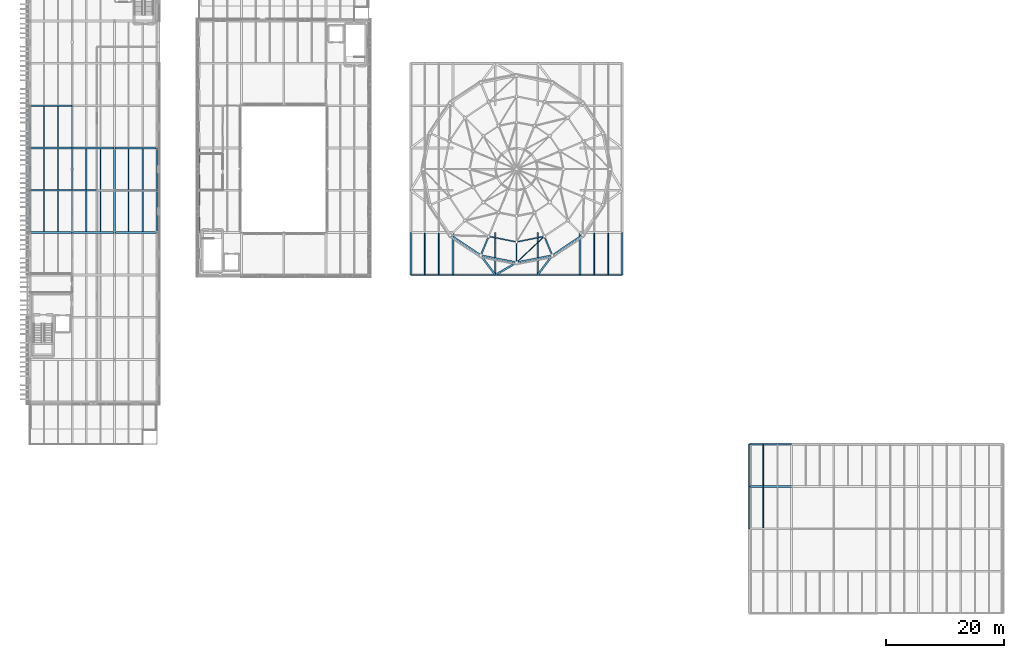
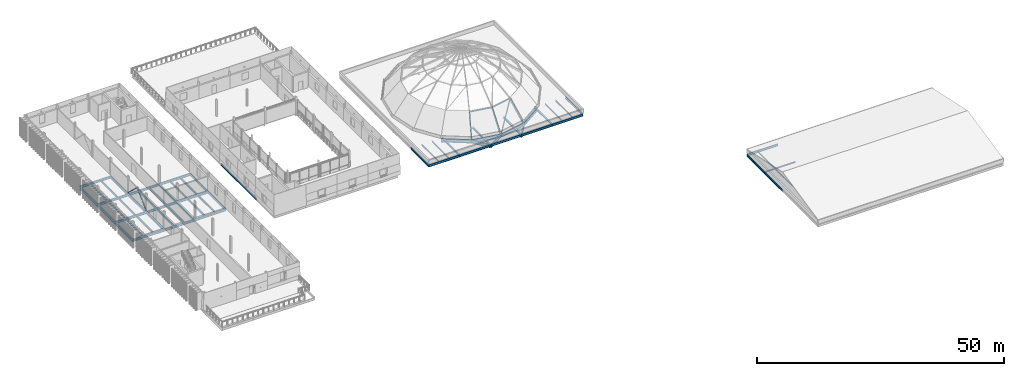
# One storey, part 8 of 66: 64 beams, 8 members.
"""IFC4 building model written with IfcOpenShell, lengths in metres."""

from ifc_helpers import new_model, si_unit, direction, frame, origin, origin_2d, place, context, subcontext, project, spatial, hollow_rectangle, hollow_circle, i_section, extrude, material, material_profile, profile_set, type_object, element, save


model = new_model("IFC4")

# Units and contexts
model_context = context("Model", 3, precision=1e-05, world=origin(), true_north=direction((0.0, 1.0)))
body_context = subcontext(model_context, "Body", "Model", "MODEL_VIEW")
ifc_project = project(units=[si_unit("LENGTHUNIT", "METRE"), si_unit("AREAUNIT", "SQUARE_METRE"), si_unit("VOLUMEUNIT", "CUBIC_METRE"), si_unit("PLANEANGLEUNIT", "RADIAN"), si_unit("MASSUNIT", "GRAM", prefix="KILO")], contexts=[model_context])

# Site, building, storey
site_placement = place(None, origin())
site = spatial("IfcSite", under=ifc_project, at=site_placement, CompositionType="ELEMENT")
building_placement = place(site_placement, origin())
building = spatial("IfcBuilding", under=site, at=building_placement, Name="Narikvali Park Central Library", CompositionType="ELEMENT")
storey_placement = place(building_placement, frame((0.0, 0.0, 18.60009765625)))
storey = spatial("IfcBuildingStorey", under=building, at=storey_placement, Name="L04", CompositionType="ELEMENT", Elevation=18.60009765625)

# Beams
ifc_material = material(Name="Steel S355", Category="steel")
ifc_material_profile_1 = material_profile(ifc_material, i_section(OverallWidth=0.300048828125, OverallDepth=0.800048828125, WebThickness=0.017578125, FlangeThickness=0.032958984375, FilletRadius=0.030029296875, at=origin_2d()), Name="HEB 800")
ifc_profile_set_1 = profile_set([ifc_material_profile_1], Name="Steel S355")
beam_type_1 = type_object("IfcBeamType", Name="Auditorium Long-Span Girder HEB800", PredefinedType="BEAM", material=ifc_profile_set_1)
beam_1_placement = place(storey_placement, frame((71.556884765625, 64.35693359375, -0.650146484375), z_axis=(0.831486816922, -0.555544483624, 0.0), x_axis=(0.555544483624, 0.831486816922, 0.0)))
element("IfcBeam", 1, at=beam_1_placement, inside=storey, type_object=beam_type_1, Name="Dome Tension Ring Beam Segment 11", PredefinedType="BEAM", context=body_context, shape_type="SweptSolid", body=[
    extrude(i_section(OverallWidth=0.300048828125, OverallDepth=0.800048828125, WebThickness=0.017578125, FlangeThickness=0.032958984375, FilletRadius=0.030029296875, at=origin_2d()), origin(), (0.0, 0.0, 1.0), 6.203857421875),
])
beam_2_placement = place(storey_placement, frame((79.199951171875, 57.60009765625, -0.650146484375), z_axis=(-0.60029252654, 0.799780521506, 0.0), x_axis=(-0.799780521506, -0.60029252654, 0.0)))
element("IfcBeam", 2, at=beam_2_placement, inside=storey, type_object=beam_type_1, Name="Dome Radial Ring Support Girder 12", PredefinedType="BEAM", context=body_context, shape_type="SweptSolid", body=[
    extrude(i_section(OverallWidth=0.300048828125, OverallDepth=0.800048828125, WebThickness=0.017578125, FlangeThickness=0.032958984375, FilletRadius=0.030029296875, at=origin_2d()), origin(), (0.0, 0.0, 1.0), 4.138916015625),
])
beam_3_placement = place(storey_placement, frame((76.71533203125, 60.910400390625, -0.650146484375), z_axis=(0.980781462113, -0.195109516878, 0.0), x_axis=(0.195109516878, 0.980781462113, 0.0)))
element("IfcBeam", 3, at=beam_3_placement, inside=storey, type_object=beam_type_1, Name="Dome Tension Ring Beam Segment 12", PredefinedType="BEAM", context=body_context, shape_type="SweptSolid", body=[
    extrude(i_section(OverallWidth=0.300048828125, OverallDepth=0.800048828125, WebThickness=0.017578125, FlangeThickness=0.032958984375, FilletRadius=0.030029296875, at=origin_2d()), origin(), (0.0, 0.0, 1.0), 6.203857421875),
])
beam_4_placement = place(storey_placement, frame((79.199951171875, 57.60009765625, -0.650146484375), z_axis=(0.863800146258, 0.503834603144, 0.0), x_axis=(-0.503834603144, 0.863800146258, 0.0)))
element("IfcBeam", 4, at=beam_4_placement, inside=storey, type_object=beam_type_1, Name="Dome Radial Ring Support Girder 13", PredefinedType="BEAM", context=body_context, shape_type="SweptSolid", body=[
    extrude(i_section(OverallWidth=0.300048828125, OverallDepth=0.800048828125, WebThickness=0.017578125, FlangeThickness=0.032958984375, FilletRadius=0.030029296875, at=origin_2d()), origin(), (0.0, 0.0, 1.0), 4.167724609375),
])
beam_5_placement = place(storey_placement, frame((82.800048828125, 59.699951171875, -0.650146484375), z_axis=(0.980781462113, 0.195109516878, 0.0), x_axis=(-0.195109516878, 0.980781462113, 0.0)))
element("IfcBeam", 5, at=beam_5_placement, inside=storey, type_object=beam_type_1, Name="Dome Tension Ring Beam Segment 13", PredefinedType="BEAM", context=body_context, shape_type="SweptSolid", body=[
    extrude(i_section(OverallWidth=0.300048828125, OverallDepth=0.800048828125, WebThickness=0.017578125, FlangeThickness=0.032958984375, FilletRadius=0.030029296875, at=origin_2d()), origin(), (0.0, 0.0, 1.0), 6.203857421875),
])
beam_6_placement = place(storey_placement, frame((86.39990234375, 57.60009765625, -0.650146484375), z_axis=(0.600330254363, 0.799752202683, 0.0), x_axis=(-0.799752202683, 0.600330254363, 0.0)))
element("IfcBeam", 6, at=beam_6_placement, inside=storey, type_object=beam_type_1, Name="Dome Radial Ring Support Girder 14", PredefinedType="BEAM", context=body_context, shape_type="SweptSolid", body=[
    extrude(i_section(OverallWidth=0.300048828125, OverallDepth=0.800048828125, WebThickness=0.017578125, FlangeThickness=0.032958984375, FilletRadius=0.030029296875, at=origin_2d()), origin(), (0.0, 0.0, 1.0), 4.13916015625),
])
beam_7_placement = place(storey_placement, frame((88.884765625, 60.910400390625, -0.650146484375), z_axis=(0.831474670862, 0.555562662276, 0.0), x_axis=(-0.555562662276, 0.831474670862, 0.0)))
element("IfcBeam", 7, at=beam_7_placement, inside=storey, type_object=beam_type_1, Name="Dome Tension Ring Beam Segment 14", PredefinedType="BEAM", context=body_context, shape_type="SweptSolid", body=[
    extrude(i_section(OverallWidth=0.300048828125, OverallDepth=0.800048828125, WebThickness=0.017578125, FlangeThickness=0.032958984375, FilletRadius=0.030029296875, at=origin_2d()), origin(), (0.0, 0.0, 1.0), 6.20361328125),
])
ifc_material_profile_2 = material_profile(ifc_material, i_section(OverallWidth=0.135009765625, OverallDepth=0.27001953125, WebThickness=0.006591796875, FlangeThickness=0.01025390625, FilletRadius=0.014892578125, at=origin_2d()), Name="IPE 270")
ifc_profile_set_2 = profile_set([ifc_material_profile_2], Name="Steel S355")
beam_type_2 = type_object("IfcBeamType", Name="Composite Floor Joist IPE270", PredefinedType="JOIST", material=ifc_profile_set_2)
beam_8_placement = place(storey_placement, frame((124.800048828125, 14.550048828125, -0.375), z_axis=(0.0, 1.0, 0.0), x_axis=(-1.0, 0.0, 0.0)))
element("IfcBeam", 8, at=beam_8_placement, inside=storey, type_object=beam_type_2, Name="V6 L04 Composite Joist 1", PredefinedType="JOIST", context=body_context, shape_type="SweptSolid", body=[
    extrude(i_section(OverallWidth=0.135009765625, OverallDepth=0.27001953125, WebThickness=0.006591796875, FlangeThickness=0.01025390625, FilletRadius=0.014892578125, at=origin_2d()), origin(), (0.0, 0.0, 1.0), 6.919921875),
])
beam_9_placement = place(storey_placement, frame((124.800048828125, 21.72998046875, -0.375), z_axis=(0.0, 1.0, 0.0), x_axis=(-1.0, 0.0, 0.0)))
element("IfcBeam", 9, at=beam_9_placement, inside=storey, type_object=beam_type_2, Name="V6 L04 Composite Joist 1", PredefinedType="JOIST", context=body_context, shape_type="SweptSolid", body=[
    extrude(i_section(OverallWidth=0.135009765625, OverallDepth=0.27001953125, WebThickness=0.006591796875, FlangeThickness=0.01025390625, FilletRadius=0.014892578125, at=origin_2d()), origin(), (0.0, 0.0, 1.0), 6.965087890625),
])
ifc_material_profile_3 = material_profile(ifc_material, i_section(OverallWidth=0.14990234375, OverallDepth=0.300048828125, WebThickness=0.007080078125, FlangeThickness=0.0107421875, FilletRadius=0.014892578125, at=origin_2d()), Name="IPE 300")
ifc_profile_set_3 = profile_set([ifc_material_profile_3], Name="Steel S355")
beam_type_3 = type_object("IfcBeamType", Name="Composite Floor Joist IPE300", PredefinedType="JOIST", material=ifc_profile_set_3)
for number, where, z_axis, x_axis, name in (
    (10, (67.199951171875, 57.705078125, -0.39013671875), (0.0, 1.0, 0.0), (-1.0, 0.0, 0.0), "V1 L04 Composite Joist 1"),
    (11, (69.60009765625, 57.705078125, -0.39013671875), (0.0, 1.0, 0.0), (-1.0, 0.0, 0.0), "V1 L04 Composite Joist 2"),
    (12, (96.0, 57.705078125, -0.39013671875), (0.0, 1.0, 0.0), (-1.0, 0.0, 0.0), "V1 L04 Composite Joist 1"),
    (13, (98.39990234375, 57.705078125, -0.39013671875), (0.0, 1.0, 0.0), (-1.0, 0.0, 0.0), "V1 L04 Composite Joist 2"),
):
    element("IfcBeam", number, at=place(storey_placement, frame(where, z_axis=z_axis, x_axis=x_axis)), inside=storey, type_object=beam_type_3, Name=name, PredefinedType="JOIST", context=body_context, shape_type="SweptSolid", body=[
        extrude(i_section(OverallWidth=0.14990234375, OverallDepth=0.300048828125, WebThickness=0.007080078125, FlangeThickness=0.0107421875, FilletRadius=0.014892578125, at=origin_2d()), origin(), (0.0, 0.0, 1.0), 6.94482421875),
    ])

# Members
ifc_material_profile_4 = material_profile(ifc_material, hollow_rectangle(XDim=0.25, YDim=0.35009765625, WallThickness=0.012451171875, at=origin_2d()), Name="RHS 350x250x12.5")
ifc_profile_set_4 = profile_set([ifc_material_profile_4], Name="Steel S355")
member_type_1 = type_object("IfcMemberType", Name="Dome Base Arch Rib RHS350x250", PredefinedType="STRUT", material=ifc_profile_set_4)
for number, where, z_axis, x_axis, name in (
    (14, (76.71533203125, 60.910400390625, -0.650146484375), (0.225407184021, 0.544114478282, 0.808165228103), (-0.92386297064, 0.382723413813, 0.0), "Main Reading Room Dome Meridional Rib T1-12"),
    (15, (88.884765625, 60.910400390625, -0.650146484375), (-0.225407184021, 0.544114478282, 0.808165228103), (-0.92386297064, -0.382723413813, 0.0), "Main Reading Room Dome Meridional Rib T1-14"),
):
    element("IfcMember", number, at=place(storey_placement, frame(where, z_axis=z_axis, x_axis=x_axis)), inside=storey, type_object=member_type_1, Name=name, PredefinedType="STRUT", context=body_context, shape_type="SweptSolid", body=[
        extrude(hollow_rectangle(XDim=0.25, YDim=0.35009765625, WallThickness=0.012451171875, at=origin_2d()), origin(), (0.0, 0.0, 1.0), 5.9765625),
    ])
ifc_material_profile_5 = material_profile(ifc_material, hollow_rectangle(XDim=0.199951171875, YDim=0.39990234375, WallThickness=0.01416015625, at=origin_2d()), Name="RHS 400x200x14.2")
ifc_profile_set_5 = profile_set([ifc_material_profile_5], Name="Steel S355")
member_type_2 = type_object("IfcMemberType", Name="Dome Cardinal Base Rib RHS400x200", PredefinedType="STRUT", material=ifc_profile_set_5)
member_1_placement = place(storey_placement, frame((82.800048828125, 59.699951171875, -0.650146484375), z_axis=(0.0, 0.588963227106, 0.808159833892), x_axis=(-1.0, 0.0, 0.0)))
element("IfcMember", 16, at=member_1_placement, inside=storey, type_object=member_type_2, Name="Main Reading Room Dome Meridional Rib T1-13", PredefinedType="STRUT", context=body_context, shape_type="SweptSolid", body=[
    extrude(hollow_rectangle(XDim=0.199951171875, YDim=0.39990234375, WallThickness=0.01416015625, at=origin_2d()), origin(), (0.0, 0.0, 1.0), 5.9765625),
])
ifc_material_profile_6 = material_profile(ifc_material, hollow_rectangle(XDim=0.199951171875, YDim=0.199951171875, WallThickness=0.012451171875, at=origin_2d()), Name="SHS 200x200x12.5")
ifc_profile_set_6 = profile_set([ifc_material_profile_6], Name="Steel S355")
member_type_3 = type_object("IfcMemberType", Name="Dome Hoop Ring Purlin SHS200x200", PredefinedType="PURLIN", material=ifc_profile_set_6)
for number, where, z_axis, x_axis, name in (
    (17, (78.0625, 64.162353515625, 4.179931640625), (0.980784259997, -0.195095451873, 0.0), (0.195095451873, 0.980784259997, 0.0), "Main Reading Room Dome Hoop Ring T1-12"),
    (18, (82.800048828125, 63.219970703125, 4.179931640625), (0.980784259997, 0.195095451873, 0.0), (-0.195095451873, 0.980784259997, 0.0), "Main Reading Room Dome Hoop Ring T1-13"),
):
    element("IfcMember", number, at=place(storey_placement, frame(where, z_axis=z_axis, x_axis=x_axis)), inside=storey, type_object=member_type_3, Name=name, PredefinedType="PURLIN", context=body_context, shape_type="SweptSolid", body=[
        extrude(hollow_rectangle(XDim=0.199951171875, YDim=0.199951171875, WallThickness=0.012451171875, at=origin_2d()), origin(), (0.0, 0.0, 1.0), 4.830322265625),
    ])
ifc_material_profile_7 = material_profile(ifc_material, hollow_circle(Radius=0.084228515625, WallThickness=0.010009765625, at=origin_2d()), Name="CHS 168.3x10")
ifc_profile_set_7 = profile_set([ifc_material_profile_7], Name="Steel S355")
member_type_4 = type_object("IfcMemberType", Name="Dome Lower Wind Brace CHS168x10", PredefinedType="BRACE", material=ifc_profile_set_7)
member_2_placement = place(storey_placement, frame((82.800048828125, 59.699951171875, -0.650146484375), z_axis=(0.584539404347, 0.550590632964, 0.59595607192), x_axis=(-0.685652493259, 0.727929020226, 0.0)))
element("IfcMember", 19, at=member_2_placement, inside=storey, type_object=member_type_4, Name="Dome Wind Diagonal Brace T1-13", PredefinedType="BRACE", context=body_context, shape_type="SweptSolid", body=[
    extrude(hollow_circle(Radius=0.084228515625, WallThickness=0.010009765625, at=origin_2d()), origin(), (0.0, 0.0, 1.0), 8.104736328125),
])

# Beams
ifc_material_profile_8 = material_profile(ifc_material, i_section(OverallWidth=0.264892578125, OverallDepth=0.7529296875, WebThickness=0.01318359375, FlangeThickness=0.01708984375, FilletRadius=0.01708984375, at=origin_2d()), Name="IPE 750x147")
ifc_profile_set_8 = profile_set([ifc_material_profile_8], Name="Steel S355")
beam_type_4 = type_object("IfcBeamType", Name="Fin Facade Spandrel IPE750", PredefinedType="SPANDREL", material=ifc_profile_set_8)
for number, where, z_axis, x_axis, name in (
    (20, (0.0, 64.80810546875, -0.63671875), (0.0, 1.0, 0.0), (-1.0, 0.0, 0.0), "V5 L04 Girder Y"),
    (21, (0.0, 72.008056640625, -0.63671875), (0.0, 1.0, 0.0), (-1.0, 0.0, 0.0), "V5 L04 Girder Y"),
):
    element("IfcBeam", number, at=place(storey_placement, frame(where, z_axis=z_axis, x_axis=x_axis)), inside=storey, type_object=beam_type_4, Name=name, PredefinedType="SPANDREL", context=body_context, shape_type="SweptSolid", body=[
        extrude(i_section(OverallWidth=0.264892578125, OverallDepth=0.7529296875, WebThickness=0.01318359375, FlangeThickness=0.01708984375, FilletRadius=0.01708984375, at=origin_2d()), origin(), (0.0, 0.0, 1.0), 7.183837890625),
    ])
beam_10_placement = place(storey_placement, frame((0.0, 79.2080078125, -0.63671875), z_axis=(0.0, 1.0, 0.0), x_axis=(-1.0, 0.0, 0.0)))
element("IfcBeam", 22, at=beam_10_placement, inside=storey, type_object=beam_type_4, Name="V5 L04 Girder Y", PredefinedType="SPANDREL", context=body_context, shape_type="SweptSolid", body=[
    extrude(i_section(OverallWidth=0.264892578125, OverallDepth=0.7529296875, WebThickness=0.01318359375, FlangeThickness=0.01708984375, FilletRadius=0.01708984375, at=origin_2d()), origin(), (0.0, 0.0, 1.0), 7.18408203125),
])
ifc_material_profile_9 = material_profile(ifc_material, i_section(OverallWidth=0.201904296875, OverallDepth=0.506103515625, WebThickness=0.011962890625, FlangeThickness=0.01904296875, FilletRadius=0.02099609375, at=origin_2d()), Name="IPEO 500")
ifc_profile_set_9 = profile_set([ifc_material_profile_9], Name="Steel S355")
beam_type_5 = type_object("IfcBeamType", Name="Open Stack Joist IPEO500", PredefinedType="JOIST", material=ifc_profile_set_9)
for number, where, z_axis, x_axis, name in (
    (23, (2.39990234375, 64.949951171875, -0.51318359375), (0.0, 1.0, 0.0), (-1.0, 0.0, 0.0), "V5 L04 Composite Joist 1"),
    (24, (4.800048828125, 64.949951171875, -0.51318359375), (0.0, 1.0, 0.0), (-1.0, 0.0, 0.0), "V5 L04 Composite Joist 2"),
    (25, (2.39990234375, 72.14990234375, -0.51318359375), (0.0, 1.0, 0.0), (-1.0, 0.0, 0.0), "V5 L04 Composite Joist 1"),
    (26, (4.800048828125, 72.14990234375, -0.51318359375), (0.0, 1.0, 0.0), (-1.0, 0.0, 0.0), "V5 L04 Composite Joist 2"),
):
    element("IfcBeam", number, at=place(storey_placement, frame(where, z_axis=z_axis, x_axis=x_axis)), inside=storey, type_object=beam_type_5, Name=name, PredefinedType="JOIST", context=body_context, shape_type="SweptSolid", body=[
        extrude(i_section(OverallWidth=0.201904296875, OverallDepth=0.506103515625, WebThickness=0.011962890625, FlangeThickness=0.01904296875, FilletRadius=0.02099609375, at=origin_2d()), origin(), (0.0, 0.0, 1.0), 6.900146484375),
    ])
for number, where, z_axis, x_axis, name in (
    (27, (2.39990234375, 79.35009765625, -0.51318359375), (0.0, 1.0, 0.0), (-1.0, 0.0, 0.0), "V5 L04 Composite Joist 1"),
    (28, (4.800048828125, 79.35009765625, -0.51318359375), (0.0, 1.0, 0.0), (-1.0, 0.0, 0.0), "V5 L04 Composite Joist 2"),
):
    element("IfcBeam", number, at=place(storey_placement, frame(where, z_axis=z_axis, x_axis=x_axis)), inside=storey, type_object=beam_type_5, Name=name, PredefinedType="JOIST", context=body_context, shape_type="SweptSolid", body=[
        extrude(i_section(OverallWidth=0.201904296875, OverallDepth=0.506103515625, WebThickness=0.011962890625, FlangeThickness=0.01904296875, FilletRadius=0.02099609375, at=origin_2d()), origin(), (0.0, 0.0, 1.0), 6.89990234375),
    ])
for number, where, z_axis, x_axis, name in (
    (29, (9.60009765625, 64.949951171875, -0.51318359375), (0.0, 1.0, 0.0), (-1.0, 0.0, 0.0), "V5 L04 Composite Joist 1"),
    (30, (12.0, 64.949951171875, -0.51318359375), (0.0, 1.0, 0.0), (-1.0, 0.0, 0.0), "V5 L04 Composite Joist 2"),
    (31, (9.60009765625, 72.14990234375, -0.51318359375), (0.0, 1.0, 0.0), (-1.0, 0.0, 0.0), "V5 L04 Composite Joist 1"),
    (32, (12.0, 72.14990234375, -0.51318359375), (0.0, 1.0, 0.0), (-1.0, 0.0, 0.0), "V5 L04 Composite Joist 2"),
    (33, (16.800048828125, 64.949951171875, -0.51318359375), (0.0, 1.0, 0.0), (-1.0, 0.0, 0.0), "V5 L04 Composite Joist 1"),
    (34, (19.199951171875, 64.949951171875, -0.51318359375), (0.0, 1.0, 0.0), (-1.0, 0.0, 0.0), "V5 L04 Composite Joist 2"),
    (35, (16.800048828125, 72.14990234375, -0.51318359375), (0.0, 1.0, 0.0), (-1.0, 0.0, 0.0), "V5 L04 Composite Joist 1"),
    (36, (19.199951171875, 72.14990234375, -0.51318359375), (0.0, 1.0, 0.0), (-1.0, 0.0, 0.0), "V5 L04 Composite Joist 2"),
):
    element("IfcBeam", number, at=place(storey_placement, frame(where, z_axis=z_axis, x_axis=x_axis)), inside=storey, type_object=beam_type_5, Name=name, PredefinedType="JOIST", context=body_context, shape_type="SweptSolid", body=[
        extrude(i_section(OverallWidth=0.201904296875, OverallDepth=0.506103515625, WebThickness=0.011962890625, FlangeThickness=0.01904296875, FilletRadius=0.02099609375, at=origin_2d()), origin(), (0.0, 0.0, 1.0), 6.900146484375),
    ])
ifc_material_profile_10 = material_profile(ifc_material, i_section(OverallWidth=0.2099609375, OverallDepth=0.550048828125, WebThickness=0.010986328125, FlangeThickness=0.01708984375, FilletRadius=0.02392578125, at=origin_2d()), Name="IPE 550")
ifc_profile_set_10 = profile_set([ifc_material_profile_10], Name="Steel S355")
beam_type_6 = type_object("IfcBeamType", Name="Perimeter Spandrel IPE550", PredefinedType="SPANDREL", material=ifc_profile_set_10)
for number, where, z_axis, x_axis, name in (
    (37, (64.80810546875, 57.60009765625, -0.51513671875), (1.0, 0.0, 0.0), (0.0, 1.0, 0.0), "V1 L04 Girder X"),
    (38, (72.008056640625, 57.60009765625, -0.51513671875), (1.0, 0.0, 0.0), (0.0, 1.0, 0.0), "V1 L04 Girder X"),
):
    element("IfcBeam", number, at=place(storey_placement, frame(where, z_axis=z_axis, x_axis=x_axis)), inside=storey, type_object=beam_type_6, Name=name, PredefinedType="SPANDREL", context=body_context, shape_type="SweptSolid", body=[
        extrude(i_section(OverallWidth=0.2099609375, OverallDepth=0.550048828125, WebThickness=0.010986328125, FlangeThickness=0.01708984375, FilletRadius=0.02392578125, at=origin_2d()), origin(), (0.0, 0.0, 1.0), 7.183837890625),
    ])
for number, where, z_axis, x_axis, name in (
    (39, (79.2080078125, 57.60009765625, -0.51513671875), (1.0, 0.0, 0.0), (0.0, 1.0, 0.0), "V1 L04 Girder X"),
    (40, (86.407958984375, 57.60009765625, -0.51513671875), (1.0, 0.0, 0.0), (0.0, 1.0, 0.0), "V1 L04 Girder X"),
    (41, (93.60791015625, 57.60009765625, -0.51513671875), (1.0, 0.0, 0.0), (0.0, 1.0, 0.0), "V1 L04 Girder X"),
    (42, (64.800048828125, 57.60791015625, -0.51513671875), (0.0, 1.0, 0.0), (-1.0, 0.0, 0.0), "V1 L04 Girder Y"),
    (43, (100.800048828125, 57.60791015625, -0.51513671875), (0.0, 1.0, 0.0), (-1.0, 0.0, 0.0), "V1 L04 Girder Y"),
):
    element("IfcBeam", number, at=place(storey_placement, frame(where, z_axis=z_axis, x_axis=x_axis)), inside=storey, type_object=beam_type_6, Name=name, PredefinedType="SPANDREL", context=body_context, shape_type="SweptSolid", body=[
        extrude(i_section(OverallWidth=0.2099609375, OverallDepth=0.550048828125, WebThickness=0.010986328125, FlangeThickness=0.01708984375, FilletRadius=0.02392578125, at=origin_2d()), origin(), (0.0, 0.0, 1.0), 7.18408203125),
    ])
for number, where, z_axis, x_axis, name in (
    (44, (28.800048828125, 64.80810546875, -0.53515625), (0.0, 1.0, 0.0), (-1.0, 0.0, 0.0), "V4 L04 Girder Y"),
    (45, (28.800048828125, 72.008056640625, -0.53515625), (0.0, 1.0, 0.0), (-1.0, 0.0, 0.0), "V4 L04 Girder Y"),
):
    element("IfcBeam", number, at=place(storey_placement, frame(where, z_axis=z_axis, x_axis=x_axis)), inside=storey, type_object=beam_type_6, Name=name, PredefinedType="SPANDREL", context=body_context, shape_type="SweptSolid", body=[
        extrude(i_section(OverallWidth=0.2099609375, OverallDepth=0.550048828125, WebThickness=0.010986328125, FlangeThickness=0.01708984375, FilletRadius=0.02392578125, at=origin_2d()), origin(), (0.0, 0.0, 1.0), 7.183837890625),
    ])
for number, where, z_axis, x_axis, name in (
    (46, (122.407958984375, 28.800048828125, -0.51513671875), (1.0, 0.0, 0.0), (0.0, 1.0, 0.0), "V6 L04 Girder X"),
    (47, (122.39990234375, 14.407958984375, -0.51513671875), (0.0, 1.0, 0.0), (-1.0, 0.0, 0.0), "V6 L04 Girder Y"),
    (48, (122.39990234375, 21.60791015625, -0.51513671875), (0.0, 1.0, 0.0), (-1.0, 0.0, 0.0), "V6 L04 Girder Y"),
):
    element("IfcBeam", number, at=place(storey_placement, frame(where, z_axis=z_axis, x_axis=x_axis)), inside=storey, type_object=beam_type_6, Name=name, PredefinedType="SPANDREL", context=body_context, shape_type="SweptSolid", body=[
        extrude(i_section(OverallWidth=0.2099609375, OverallDepth=0.550048828125, WebThickness=0.010986328125, FlangeThickness=0.01708984375, FilletRadius=0.02392578125, at=origin_2d()), origin(), (0.0, 0.0, 1.0), 7.18408203125),
    ])
ifc_material_profile_11 = material_profile(ifc_material, i_section(OverallWidth=0.219970703125, OverallDepth=0.60009765625, WebThickness=0.011962890625, FlangeThickness=0.01904296875, FilletRadius=0.02392578125, at=origin_2d()), Name="IPE 600")
ifc_profile_set_11 = profile_set([ifc_material_profile_11], Name="Steel S355")
beam_type_7 = type_object("IfcBeamType", Name="Perimeter Spandrel IPE600", PredefinedType="SPANDREL", material=ifc_profile_set_11)
for number, where, z_axis, x_axis, name in (
    (49, (21.60009765625, 64.80810546875, -0.56005859375), (0.0, 1.0, 0.0), (-1.0, 0.0, 0.0), "V5 L04 Girder Y"),
    (50, (21.60009765625, 72.008056640625, -0.56005859375), (0.0, 1.0, 0.0), (-1.0, 0.0, 0.0), "V5 L04 Girder Y"),
):
    element("IfcBeam", number, at=place(storey_placement, frame(where, z_axis=z_axis, x_axis=x_axis)), inside=storey, type_object=beam_type_7, Name=name, PredefinedType="SPANDREL", context=body_context, shape_type="SweptSolid", body=[
        extrude(i_section(OverallWidth=0.219970703125, OverallDepth=0.60009765625, WebThickness=0.011962890625, FlangeThickness=0.01904296875, FilletRadius=0.02392578125, at=origin_2d()), origin(), (0.0, 0.0, 1.0), 7.183837890625),
    ])
ifc_material_profile_12 = material_profile(ifc_material, i_section(OverallWidth=0.260009765625, OverallDepth=0.25, WebThickness=0.007568359375, FlangeThickness=0.012451171875, FilletRadius=0.02392578125, at=origin_2d()), Name="HEA 260")
ifc_profile_set_12 = profile_set([ifc_material_profile_12], Name="Steel S355")
beam_type_8 = type_object("IfcBeamType", Name="Primary Girder HEA260", PredefinedType="BEAM", material=ifc_profile_set_12)
beam_11_placement = place(storey_placement, frame((122.407958984375, 21.60009765625, -0.364990234375), z_axis=(1.0, 0.0, 0.0), x_axis=(0.0, 1.0, 0.0)))
element("IfcBeam", 51, at=beam_11_placement, inside=storey, type_object=beam_type_8, Name="V6 L04 Girder X", PredefinedType="BEAM", context=body_context, shape_type="SweptSolid", body=[
    extrude(i_section(OverallWidth=0.260009765625, OverallDepth=0.25, WebThickness=0.007568359375, FlangeThickness=0.012451171875, FilletRadius=0.02392578125, at=origin_2d()), origin(), (0.0, 0.0, 1.0), 7.18408203125),
])
ifc_material_profile_13 = material_profile(ifc_material, i_section(OverallWidth=0.300048828125, OverallDepth=0.35009765625, WebThickness=0.010009765625, FlangeThickness=0.017578125, FilletRadius=0.027099609375, at=origin_2d()), Name="HEA 360")
ifc_profile_set_13 = profile_set([ifc_material_profile_13], Name="Steel S355")
beam_type_9 = type_object("IfcBeamType", Name="Primary Girder HEA360", PredefinedType="BEAM", material=ifc_profile_set_13)
for number, where, z_axis, x_axis, name in (
    (52, (72.0, 57.60791015625, -0.4150390625), (0.0, 1.0, 0.0), (-1.0, 0.0, 0.0), "V1 L04 Girder Y"),
    (53, (79.199951171875, 57.60791015625, -0.4150390625), (0.0, 1.0, 0.0), (-1.0, 0.0, 0.0), "V1 L04 Girder Y"),
    (54, (86.39990234375, 57.60791015625, -0.4150390625), (0.0, 1.0, 0.0), (-1.0, 0.0, 0.0), "V1 L04 Girder Y"),
    (55, (93.60009765625, 57.60791015625, -0.4150390625), (0.0, 1.0, 0.0), (-1.0, 0.0, 0.0), "V1 L04 Girder Y"),
):
    element("IfcBeam", number, at=place(storey_placement, frame(where, z_axis=z_axis, x_axis=x_axis)), inside=storey, type_object=beam_type_9, Name=name, PredefinedType="BEAM", context=body_context, shape_type="SweptSolid", body=[
        extrude(i_section(OverallWidth=0.300048828125, OverallDepth=0.35009765625, WebThickness=0.010009765625, FlangeThickness=0.017578125, FilletRadius=0.027099609375, at=origin_2d()), origin(), (0.0, 0.0, 1.0), 7.18408203125),
    ])
ifc_material_profile_14 = material_profile(ifc_material, i_section(OverallWidth=0.300048828125, OverallDepth=0.5400390625, WebThickness=0.012451171875, FlangeThickness=0.02392578125, FilletRadius=0.027099609375, at=origin_2d()), Name="HEA 550")
ifc_profile_set_14 = profile_set([ifc_material_profile_14], Name="Steel S355")
beam_type_10 = type_object("IfcBeamType", Name="Primary Girder HEA550", PredefinedType="BEAM", material=ifc_profile_set_14)
for number, where, z_axis, x_axis, name in (
    (56, (7.199951171875, 64.80810546875, -0.530029296875), (0.0, 1.0, 0.0), (-1.0, 0.0, 0.0), "V5 L04 Girder Y"),
    (57, (7.199951171875, 72.008056640625, -0.530029296875), (0.0, 1.0, 0.0), (-1.0, 0.0, 0.0), "V5 L04 Girder Y"),
):
    element("IfcBeam", number, at=place(storey_placement, frame(where, z_axis=z_axis, x_axis=x_axis)), inside=storey, type_object=beam_type_10, Name=name, PredefinedType="BEAM", context=body_context, shape_type="SweptSolid", body=[
        extrude(i_section(OverallWidth=0.300048828125, OverallDepth=0.5400390625, WebThickness=0.012451171875, FlangeThickness=0.02392578125, FilletRadius=0.027099609375, at=origin_2d()), origin(), (0.0, 0.0, 1.0), 7.183837890625),
    ])
beam_12_placement = place(storey_placement, frame((7.199951171875, 79.2080078125, -0.530029296875), z_axis=(0.0, 1.0, 0.0), x_axis=(-1.0, 0.0, 0.0)))
element("IfcBeam", 58, at=beam_12_placement, inside=storey, type_object=beam_type_10, Name="V5 L04 Girder Y", PredefinedType="BEAM", context=body_context, shape_type="SweptSolid", body=[
    extrude(i_section(OverallWidth=0.300048828125, OverallDepth=0.5400390625, WebThickness=0.012451171875, FlangeThickness=0.02392578125, FilletRadius=0.027099609375, at=origin_2d()), origin(), (0.0, 0.0, 1.0), 7.18408203125),
])
for number, where, z_axis, x_axis, name in (
    (59, (14.39990234375, 64.80810546875, -0.530029296875), (0.0, 1.0, 0.0), (-1.0, 0.0, 0.0), "V5 L04 Girder Y"),
    (60, (14.39990234375, 72.008056640625, -0.530029296875), (0.0, 1.0, 0.0), (-1.0, 0.0, 0.0), "V5 L04 Girder Y"),
):
    element("IfcBeam", number, at=place(storey_placement, frame(where, z_axis=z_axis, x_axis=x_axis)), inside=storey, type_object=beam_type_10, Name=name, PredefinedType="BEAM", context=body_context, shape_type="SweptSolid", body=[
        extrude(i_section(OverallWidth=0.300048828125, OverallDepth=0.5400390625, WebThickness=0.012451171875, FlangeThickness=0.02392578125, FilletRadius=0.027099609375, at=origin_2d()), origin(), (0.0, 0.0, 1.0), 7.183837890625),
    ])
ifc_material_profile_15 = material_profile(ifc_material, i_section(OverallWidth=0.300048828125, OverallDepth=0.550048828125, WebThickness=0.014892578125, FlangeThickness=0.029052734375, FilletRadius=0.027099609375, at=origin_2d()), Name="HEB 550")
ifc_profile_set_15 = profile_set([ifc_material_profile_15], Name="Steel S355")
beam_type_11 = type_object("IfcBeamType", Name="Primary Stack Girder HEB550", PredefinedType="BEAM", material=ifc_profile_set_15)
beam_13_placement = place(storey_placement, frame((0.008056640625, 64.800048828125, -0.53515625), z_axis=(1.0, 0.0, 0.0), x_axis=(0.0, 1.0, 0.0)))
element("IfcBeam", 61, at=beam_13_placement, inside=storey, type_object=beam_type_11, Name="V5 L04 Girder X", PredefinedType="BEAM", context=body_context, shape_type="SweptSolid", body=[
    extrude(i_section(OverallWidth=0.300048828125, OverallDepth=0.550048828125, WebThickness=0.014892578125, FlangeThickness=0.029052734375, FilletRadius=0.027099609375, at=origin_2d()), origin(), (0.0, 0.0, 1.0), 7.183837890625),
])
for number, where, z_axis, x_axis, name in (
    (62, (7.2080078125, 64.800048828125, -0.53515625), (1.0, 0.0, 0.0), (0.0, 1.0, 0.0), "V5 L04 Girder X"),
    (63, (14.407958984375, 64.800048828125, -0.53515625), (1.0, 0.0, 0.0), (0.0, 1.0, 0.0), "V5 L04 Girder X"),
):
    element("IfcBeam", number, at=place(storey_placement, frame(where, z_axis=z_axis, x_axis=x_axis)), inside=storey, type_object=beam_type_11, Name=name, PredefinedType="BEAM", context=body_context, shape_type="SweptSolid", body=[
        extrude(i_section(OverallWidth=0.300048828125, OverallDepth=0.550048828125, WebThickness=0.014892578125, FlangeThickness=0.029052734375, FilletRadius=0.027099609375, at=origin_2d()), origin(), (0.0, 0.0, 1.0), 7.18408203125),
    ])
beam_14_placement = place(storey_placement, frame((0.008056640625, 72.0, -0.53515625), z_axis=(1.0, 0.0, 0.0), x_axis=(0.0, 1.0, 0.0)))
element("IfcBeam", 64, at=beam_14_placement, inside=storey, type_object=beam_type_11, Name="V5 L04 Girder X", PredefinedType="BEAM", context=body_context, shape_type="SweptSolid", body=[
    extrude(i_section(OverallWidth=0.300048828125, OverallDepth=0.550048828125, WebThickness=0.014892578125, FlangeThickness=0.029052734375, FilletRadius=0.027099609375, at=origin_2d()), origin(), (0.0, 0.0, 1.0), 7.183837890625),
])
for number, where, z_axis, x_axis, name in (
    (65, (7.2080078125, 72.0, -0.53515625), (1.0, 0.0, 0.0), (0.0, 1.0, 0.0), "V5 L04 Girder X"),
    (66, (14.407958984375, 72.0, -0.53515625), (1.0, 0.0, 0.0), (0.0, 1.0, 0.0), "V5 L04 Girder X"),
):
    element("IfcBeam", number, at=place(storey_placement, frame(where, z_axis=z_axis, x_axis=x_axis)), inside=storey, type_object=beam_type_11, Name=name, PredefinedType="BEAM", context=body_context, shape_type="SweptSolid", body=[
        extrude(i_section(OverallWidth=0.300048828125, OverallDepth=0.550048828125, WebThickness=0.014892578125, FlangeThickness=0.029052734375, FilletRadius=0.027099609375, at=origin_2d()), origin(), (0.0, 0.0, 1.0), 7.18408203125),
    ])
beam_15_placement = place(storey_placement, frame((0.008056640625, 79.199951171875, -0.53515625), z_axis=(1.0, 0.0, 0.0), x_axis=(0.0, 1.0, 0.0)))
element("IfcBeam", 67, at=beam_15_placement, inside=storey, type_object=beam_type_11, Name="V5 L04 Girder X", PredefinedType="BEAM", context=body_context, shape_type="SweptSolid", body=[
    extrude(i_section(OverallWidth=0.300048828125, OverallDepth=0.550048828125, WebThickness=0.014892578125, FlangeThickness=0.029052734375, FilletRadius=0.027099609375, at=origin_2d()), origin(), (0.0, 0.0, 1.0), 7.183837890625),
])
for number, where, z_axis, x_axis, name in (
    (68, (7.2080078125, 79.199951171875, -0.53515625), (1.0, 0.0, 0.0), (0.0, 1.0, 0.0), "V5 L04 Girder X"),
    (69, (14.407958984375, 79.199951171875, -0.53515625), (1.0, 0.0, 0.0), (0.0, 1.0, 0.0), "V5 L04 Girder X"),
):
    element("IfcBeam", number, at=place(storey_placement, frame(where, z_axis=z_axis, x_axis=x_axis)), inside=storey, type_object=beam_type_11, Name=name, PredefinedType="BEAM", context=body_context, shape_type="SweptSolid", body=[
        extrude(i_section(OverallWidth=0.300048828125, OverallDepth=0.550048828125, WebThickness=0.014892578125, FlangeThickness=0.029052734375, FilletRadius=0.027099609375, at=origin_2d()), origin(), (0.0, 0.0, 1.0), 7.18408203125),
    ])
beam_16_placement = place(storey_placement, frame((0.008056640625, 86.39990234375, -0.53515625), z_axis=(1.0, 0.0, 0.0), x_axis=(0.0, 1.0, 0.0)))
element("IfcBeam", 70, at=beam_16_placement, inside=storey, type_object=beam_type_11, Name="V5 L04 Girder X", PredefinedType="BEAM", context=body_context, shape_type="SweptSolid", body=[
    extrude(i_section(OverallWidth=0.300048828125, OverallDepth=0.550048828125, WebThickness=0.014892578125, FlangeThickness=0.029052734375, FilletRadius=0.027099609375, at=origin_2d()), origin(), (0.0, 0.0, 1.0), 7.183837890625),
])

# Members
ifc_material_profile_16 = material_profile(ifc_material, hollow_circle(Radius=0.122314453125, WallThickness=0.012451171875, at=origin_2d()), Name="CHS 244.5x12.5")
ifc_profile_set_16 = profile_set([ifc_material_profile_16], Name="Steel S355")
member_type_5 = type_object("IfcMemberType", Name="Upper Chevron Brace CHS244", PredefinedType="BRACE", material=ifc_profile_set_16)
member_3_placement = place(storey_placement, frame((7.199951171875, 72.014892578125, 0.014892578125), z_axis=(0.0, 0.725091886085, 0.688652130421), x_axis=(-1.0, 0.0, 0.0)))
element("IfcMember", 71, at=member_3_placement, inside=storey, type_object=member_type_5, Name="V5 L04 Seismic Chevron Brace A", PredefinedType="BRACE", context=body_context, shape_type="SweptSolid", body=[
    extrude(hollow_circle(Radius=0.122314453125, WallThickness=0.012451171875, at=origin_2d()), origin(), (0.0, 0.0, 1.0), 4.944580078125),
])
member_4_placement = place(storey_placement, frame((7.199951171875, 79.18505859375, 0.014892578125), z_axis=(0.0, -0.725068468495, 0.688676786305), x_axis=(1.0, 0.0, 0.0)))
element("IfcMember", 72, at=member_4_placement, inside=storey, type_object=member_type_5, Name="V5 L04 Seismic Chevron Brace B", PredefinedType="BRACE", context=body_context, shape_type="SweptSolid", body=[
    extrude(hollow_circle(Radius=0.122314453125, WallThickness=0.012451171875, at=origin_2d()), origin(), (0.0, 0.0, 1.0), 4.9443359375),
])

save(model, "model.ifc")
